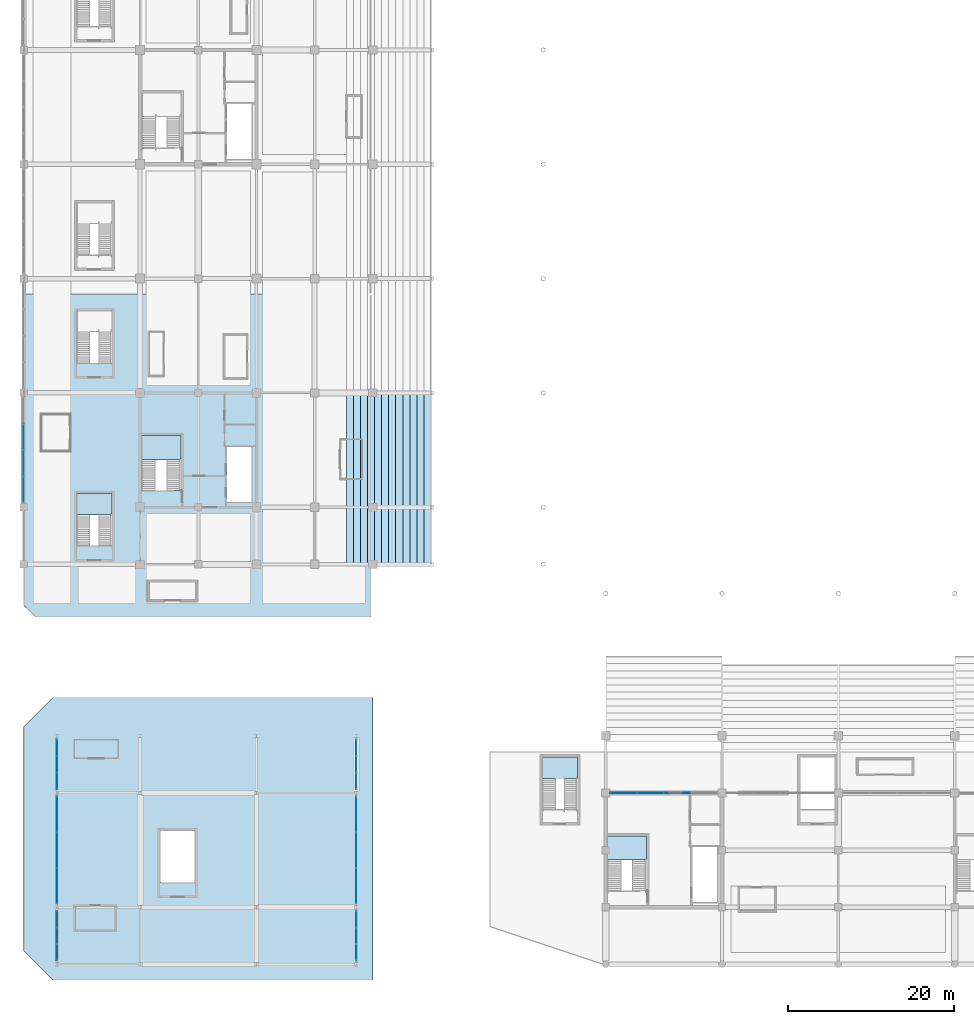
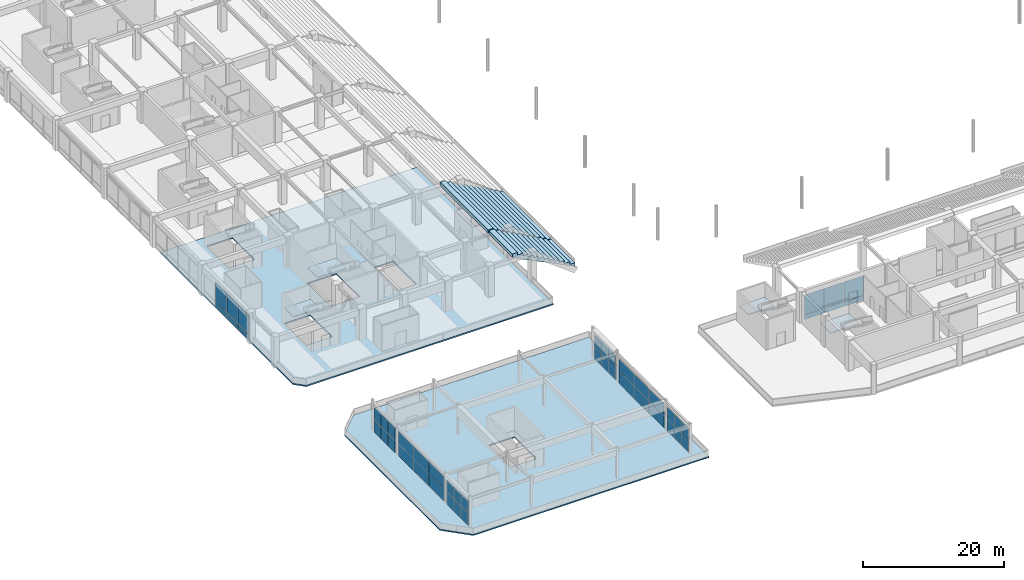
# One storey, part 71 of 117: 48 plates, 8 slabs, 12 elements without a shape of their own.
"""IFC4 building model written with IfcOpenShell, lengths in metres."""

from ifc_helpers import new_model, si_unit, direction, frame, origin, origin_2d, place, context, subcontext, project, spatial, polyline, rectangle, outline, extrude, material, layer, layer_set, type_object, element, aggregate, save


model = new_model("IFC4")

# Units and contexts
model_context = context("Model", 3, precision=1e-05, world=origin(), true_north=direction((0.0, 1.0)))
body_context = subcontext(model_context, "Body", "Model", "MODEL_VIEW")
ifc_project = project(units=[si_unit("LENGTHUNIT", "METRE"), si_unit("AREAUNIT", "SQUARE_METRE"), si_unit("VOLUMEUNIT", "CUBIC_METRE"), si_unit("PLANEANGLEUNIT", "RADIAN"), si_unit("MASSUNIT", "GRAM", prefix="KILO")], contexts=[model_context])

# Site, building, storey
site_placement = place(None, origin())
site = spatial("IfcSite", under=ifc_project, at=site_placement, CompositionType="ELEMENT")
building_placement = place(site_placement, origin())
building = spatial("IfcBuilding", under=site, at=building_placement, Name="Linyun Crest Stadium", CompositionType="ELEMENT")
storey_placement = place(building_placement, frame((0.0, 0.0, 6.0)))
storey = spatial("IfcBuildingStorey", under=building, at=storey_placement, Name="L02", CompositionType="ELEMENT", Elevation=6.0)

# Slabs
ifc_material_1 = material(Name="Concrete C40", Category="concrete")
ifc_layer_1 = layer(ifc_material_1, 0.199951171875)
ifc_layer_set_1 = layer_set([ifc_layer_1], Name="Concrete C40")
slab_type_1 = type_object("IfcSlabType", Name="FS02", PredefinedType="FLOOR", material=ifc_layer_set_1)
slab_1_placement = place(storey_placement, frame((0.0, 0.0, -0.199951171875)))
element("IfcSlab", 1, at=slab_1_placement, inside=storey, type_object=slab_type_1, Name="Slab FS02 V6 L02 64", PredefinedType="FLOOR", context=body_context, shape_type="SweptSolid", body=[
    extrude(outline(polyline([(-94.5, -96.0), (-56.0, -96.0), (-56.0, -62.0), (-94.5, -62.0), (-98.0, -65.5), (-98.0, -92.5), (-94.5, -96.0)]), holes=[polyline([(-81.60009765625, -84.25), (-81.60009765625, -78.0), (-77.39990234375, -78.0), (-77.39990234375, -84.25), (-81.60009765625, -84.25)])]), origin(), (0.0, 0.0, 1.0), 0.199951171875),
])
ifc_material_2 = material(Name="Concrete C40", Category="concrete")
ifc_layer_2 = layer(ifc_material_2, 0.219970703125)
ifc_layer_set_2 = layer_set([ifc_layer_2], Name="Concrete C40")
slab_type_2 = type_object("IfcSlabType", Name="FS03", PredefinedType="FLOOR", material=ifc_layer_set_2)
slab_2_placement = place(storey_placement, frame((0.0, 0.0, -0.219970703125)))
element("IfcSlab", 2, at=slab_2_placement, inside=storey, type_object=slab_type_2, Name="Slab FS03 V1 L02 4", PredefinedType="FLOOR", context=body_context, shape_type="SweptSolid", body=[
    extrude(outline(polyline([(-96.60009765625, -52.3349609375), (-56.199951171875, -52.3349609375), (-56.199951171875, -13.510009765625), (-98.0, -13.510009765625), (-98.0, -50.93505859375), (-96.60009765625, -52.3349609375)]), holes=[polyline([(-83.824951171875, -37.10498046875), (-83.824951171875, -30.52490234375), (-79.10009765625, -30.52490234375), (-79.10009765625, -37.10498046875), (-83.824951171875, -37.10498046875)]), polyline([(-73.60009765625, -38.47509765625), (-73.60009765625, -31.875), (-70.60009765625, -31.875), (-70.60009765625, -38.47509765625), (-73.60009765625, -38.47509765625)]), polyline([(-91.60009765625, -43.75), (-91.60009765625, -37.5), (-87.39990234375, -37.5), (-87.39990234375, -43.75), (-91.60009765625, -43.75)]), polyline([(-91.60009765625, -21.75), (-91.60009765625, -15.5), (-87.39990234375, -15.5), (-87.39990234375, -21.75), (-91.60009765625, -21.75)])]), origin(), (0.0, 0.0, 1.0), 0.219970703125),
])

# Curtain wall, plates
ifc_material_3 = material(Name="Verdigris steel and low-E curtain wall assembly", Category="steel")
curtain_wall_type_1 = type_object("IfcCurtainWallType", Name="MCW01", PredefinedType="NOTDEFINED", material=ifc_material_3)
curtain_wall_1_placement = place(storey_placement, origin())
curtain_wall_1 = element("IfcCurtainWall", 3, at=curtain_wall_1_placement, inside=storey, type_object=curtain_wall_type_1, Name="CWR-073", PredefinedType="NOTDEFINED")
ifc_material_4 = material(Name="Double silver low-E insulated glass", Category="glass")
ifc_layer_3 = layer(ifc_material_4, 0.02587890625)
ifc_layer_set_3 = layer_set([ifc_layer_3], Name="Double silver low-E insulated glass")
plate_type_1 = type_object("IfcPlateType", Name="GP01", PredefinedType="CURTAIN_PANEL", material=ifc_layer_set_3)
plate_1_placement = place(storey_placement, frame((-98.0, -36.993896484375, 0.9248046875), z_axis=(0.0, 0.0, 1.0), x_axis=(0.0, 1.0, 0.0)))
plate_1 = element("IfcPlate", 4, at=plate_1_placement, type_object=plate_type_1, Name="CWR-073 panel 1.2", PredefinedType="CURTAIN_PANEL", context=body_context, shape_type="SweptSolid", body=[
    extrude(rectangle(XDim=3.112548828125, YDim=0.02587890625, at=origin_2d()), origin(), (0.0, 0.0, 1.0), 3.300048828125),
])
plate_2_placement = place(storey_placement, frame((-98.0, -33.8310546875, 0.9248046875), z_axis=(0.0, 0.0, 1.0), x_axis=(0.0, 1.0, 0.0)))
plate_2 = element("IfcPlate", 5, at=plate_2_placement, type_object=plate_type_1, Name="CWR-073 panel 2.2", PredefinedType="CURTAIN_PANEL", context=body_context, shape_type="SweptSolid", body=[
    extrude(rectangle(XDim=3.112548828125, YDim=0.02587890625, at=origin_2d()), origin(), (0.0, 0.0, 1.0), 3.300048828125),
])
plate_3_placement = place(storey_placement, frame((-98.0, -30.6689453125, 0.9248046875), z_axis=(0.0, 0.0, 1.0), x_axis=(0.0, 1.0, 0.0)))
plate_3 = element("IfcPlate", 6, at=plate_3_placement, type_object=plate_type_1, Name="CWR-073 panel 3.2", PredefinedType="CURTAIN_PANEL", context=body_context, shape_type="SweptSolid", body=[
    extrude(rectangle(XDim=3.112548828125, YDim=0.02587890625, at=origin_2d()), origin(), (0.0, 0.0, 1.0), 3.300048828125),
])

ifc_material_5 = material(Name="Verdigris steel and low-E curtain wall assembly", Category="steel")
curtain_wall_type_2 = type_object("IfcCurtainWallType", Name="MCW03", PredefinedType="NOTDEFINED", material=ifc_material_5)
curtain_wall_2_placement = place(storey_placement, origin())
curtain_wall_2 = element("IfcCurtainWall", 7, at=curtain_wall_2_placement, inside=storey, type_object=curtain_wall_type_2, Name="CWR-131", PredefinedType="NOTDEFINED")
plate_4_placement = place(storey_placement, frame((-25.837890625, -73.5, 0.875), z_axis=(0.0, 0.0, 1.0), x_axis=(1.0, 0.0, 0.0)))
plate_4 = element("IfcPlate", 8, at=plate_4_placement, type_object=plate_type_1, Name="CWR-131 panel 1.2", PredefinedType="CURTAIN_PANEL", context=body_context, shape_type="SweptSolid", body=[
    extrude(rectangle(XDim=3.175048828125, YDim=0.02587890625, at=origin_2d()), origin(), (0.0, 0.0, 1.0), 3.35009765625),
])
plate_5_placement = place(storey_placement, frame((-22.612060546875, -73.5, 0.875), z_axis=(0.0, 0.0, 1.0), x_axis=(1.0, 0.0, 0.0)))
plate_5 = element("IfcPlate", 9, at=plate_5_placement, type_object=plate_type_1, Name="CWR-131 panel 2.2", PredefinedType="CURTAIN_PANEL", context=body_context, shape_type="SweptSolid", body=[
    extrude(rectangle(XDim=3.175048828125, YDim=0.02587890625, at=origin_2d()), origin(), (0.0, 0.0, 1.0), 3.35009765625),
])
plate_6_placement = place(storey_placement, frame((-19.387939453125, -73.5, 0.875), z_axis=(0.0, 0.0, 1.0), x_axis=(1.0, 0.0, 0.0)))
plate_6 = element("IfcPlate", 10, at=plate_6_placement, type_object=plate_type_1, Name="CWR-131 panel 3.2", PredefinedType="CURTAIN_PANEL", context=body_context, shape_type="SweptSolid", body=[
    extrude(rectangle(XDim=3.175048828125, YDim=0.02587890625, at=origin_2d()), origin(), (0.0, 0.0, 1.0), 3.35009765625),
])

ifc_material_6 = material(Name="Verdigris steel and low-E curtain wall assembly", Category="steel")
curtain_wall_type_3 = type_object("IfcCurtainWallType", Name="MCW05", PredefinedType="NOTDEFINED", material=ifc_material_6)
curtain_wall_3_placement = place(storey_placement, origin())
curtain_wall_3 = element("IfcCurtainWall", 11, at=curtain_wall_3_placement, inside=storey, type_object=curtain_wall_type_3, Name="CWR-155", PredefinedType="NOTDEFINED")
ifc_material_7 = material(Name="Tempered solar-control low-E glass", Category="glass")
ifc_layer_4 = layer(ifc_material_7, 0.033935546875)
ifc_layer_set_4 = layer_set([ifc_layer_4], Name="Tempered solar-control low-E glass")
plate_type_2 = type_object("IfcPlateType", Name="GP03", PredefinedType="CURTAIN_PANEL", material=ifc_layer_set_4)
plate_7_placement = place(storey_placement, frame((-94.0, -92.678955078125, 0.0244140625), z_axis=(0.0, 0.0, 1.0), x_axis=(0.0, 1.0, 0.0)))
plate_7 = element("IfcPlate", 12, at=plate_7_placement, type_object=plate_type_2, Name="CWR-155 panel 1.1", PredefinedType="CURTAIN_PANEL", context=body_context, shape_type="SweptSolid", body=[
    extrude(rectangle(XDim=1.941650390625, YDim=0.033935546875, at=origin_2d()), origin(), (0.0, 0.0, 1.0), 2.074951171875),
])
plate_8_placement = place(storey_placement, frame((-94.0, -92.678955078125, 2.150390625), z_axis=(0.0, 0.0, 1.0), x_axis=(0.0, 1.0, 0.0)))
plate_8 = element("IfcPlate", 13, at=plate_8_placement, type_object=plate_type_2, Name="CWR-155 panel 1.2", PredefinedType="CURTAIN_PANEL", context=body_context, shape_type="SweptSolid", body=[
    extrude(rectangle(XDim=1.941650390625, YDim=0.033935546875, at=origin_2d()), origin(), (0.0, 0.0, 1.0), 2.074951171875),
])
plate_9_placement = place(storey_placement, frame((-94.0, -90.68798828125, 0.0244140625), z_axis=(0.0, 0.0, 1.0), x_axis=(0.0, 1.0, 0.0)))
plate_9 = element("IfcPlate", 14, at=plate_9_placement, type_object=plate_type_2, Name="CWR-155 panel 2.1", PredefinedType="CURTAIN_PANEL", context=body_context, shape_type="SweptSolid", body=[
    extrude(rectangle(XDim=1.941650390625, YDim=0.033935546875, at=origin_2d()), origin(), (0.0, 0.0, 1.0), 2.074951171875),
])
plate_10_placement = place(storey_placement, frame((-94.0, -90.68798828125, 2.150390625), z_axis=(0.0, 0.0, 1.0), x_axis=(0.0, 1.0, 0.0)))
plate_10 = element("IfcPlate", 15, at=plate_10_placement, type_object=plate_type_2, Name="CWR-155 panel 2.2", PredefinedType="CURTAIN_PANEL", context=body_context, shape_type="SweptSolid", body=[
    extrude(rectangle(XDim=1.941650390625, YDim=0.033935546875, at=origin_2d()), origin(), (0.0, 0.0, 1.0), 2.074951171875),
])
plate_11_placement = place(storey_placement, frame((-94.0, -88.696044921875, 0.0244140625), z_axis=(0.0, 0.0, 1.0), x_axis=(0.0, 1.0, 0.0)))
plate_11 = element("IfcPlate", 16, at=plate_11_placement, type_object=plate_type_2, Name="CWR-155 panel 3.1", PredefinedType="CURTAIN_PANEL", context=body_context, shape_type="SweptSolid", body=[
    extrude(rectangle(XDim=1.941650390625, YDim=0.033935546875, at=origin_2d()), origin(), (0.0, 0.0, 1.0), 2.074951171875),
])
plate_12_placement = place(storey_placement, frame((-94.0, -88.696044921875, 2.150390625), z_axis=(0.0, 0.0, 1.0), x_axis=(0.0, 1.0, 0.0)))
plate_12 = element("IfcPlate", 17, at=plate_12_placement, type_object=plate_type_2, Name="CWR-155 panel 3.2", PredefinedType="CURTAIN_PANEL", context=body_context, shape_type="SweptSolid", body=[
    extrude(rectangle(XDim=1.941650390625, YDim=0.033935546875, at=origin_2d()), origin(), (0.0, 0.0, 1.0), 2.074951171875),
])
aggregate(curtain_wall_3, [plate_7, plate_8, plate_9, plate_10, plate_11, plate_12])

curtain_wall_4_placement = place(storey_placement, origin())
curtain_wall_4 = element("IfcCurtainWall", 18, at=curtain_wall_4_placement, inside=storey, type_object=curtain_wall_type_3, Name="CWR-156", PredefinedType="NOTDEFINED")
plate_13_placement = place(storey_placement, frame((-94.0, -84.657958984375, 0.0244140625), z_axis=(0.0, 0.0, 1.0), x_axis=(0.0, 1.0, 0.0)))
plate_13 = element("IfcPlate", 19, at=plate_13_placement, type_object=plate_type_2, Name="CWR-156 panel 1.1", PredefinedType="CURTAIN_PANEL", context=body_context, shape_type="SweptSolid", body=[
    extrude(rectangle(XDim=4.2333984375, YDim=0.033935546875, at=origin_2d()), origin(), (0.0, 0.0, 1.0), 2.074951171875),
])
plate_14_placement = place(storey_placement, frame((-94.0, -84.657958984375, 2.150390625), z_axis=(0.0, 0.0, 1.0), x_axis=(0.0, 1.0, 0.0)))
plate_14 = element("IfcPlate", 20, at=plate_14_placement, type_object=plate_type_2, Name="CWR-156 panel 1.2", PredefinedType="CURTAIN_PANEL", context=body_context, shape_type="SweptSolid", body=[
    extrude(rectangle(XDim=4.2333984375, YDim=0.033935546875, at=origin_2d()), origin(), (0.0, 0.0, 1.0), 2.074951171875),
])
plate_15_placement = place(storey_placement, frame((-94.0, -80.375, 0.0244140625), z_axis=(0.0, 0.0, 1.0), x_axis=(0.0, 1.0, 0.0)))
plate_15 = element("IfcPlate", 21, at=plate_15_placement, type_object=plate_type_2, Name="CWR-156 panel 2.1", PredefinedType="CURTAIN_PANEL", context=body_context, shape_type="SweptSolid", body=[
    extrude(rectangle(XDim=4.2333984375, YDim=0.033935546875, at=origin_2d()), origin(), (0.0, 0.0, 1.0), 2.074951171875),
])
plate_16_placement = place(storey_placement, frame((-94.0, -80.375, 2.150390625), z_axis=(0.0, 0.0, 1.0), x_axis=(0.0, 1.0, 0.0)))
plate_16 = element("IfcPlate", 22, at=plate_16_placement, type_object=plate_type_2, Name="CWR-156 panel 2.2", PredefinedType="CURTAIN_PANEL", context=body_context, shape_type="SweptSolid", body=[
    extrude(rectangle(XDim=4.2333984375, YDim=0.033935546875, at=origin_2d()), origin(), (0.0, 0.0, 1.0), 2.074951171875),
])
plate_17_placement = place(storey_placement, frame((-94.0, -76.092041015625, 0.0244140625), z_axis=(0.0, 0.0, 1.0), x_axis=(0.0, 1.0, 0.0)))
plate_17 = element("IfcPlate", 23, at=plate_17_placement, type_object=plate_type_2, Name="CWR-156 panel 3.1", PredefinedType="CURTAIN_PANEL", context=body_context, shape_type="SweptSolid", body=[
    extrude(rectangle(XDim=4.2333984375, YDim=0.033935546875, at=origin_2d()), origin(), (0.0, 0.0, 1.0), 2.074951171875),
])
plate_18_placement = place(storey_placement, frame((-94.0, -76.092041015625, 2.150390625), z_axis=(0.0, 0.0, 1.0), x_axis=(0.0, 1.0, 0.0)))
plate_18 = element("IfcPlate", 24, at=plate_18_placement, type_object=plate_type_2, Name="CWR-156 panel 3.2", PredefinedType="CURTAIN_PANEL", context=body_context, shape_type="SweptSolid", body=[
    extrude(rectangle(XDim=4.2333984375, YDim=0.033935546875, at=origin_2d()), origin(), (0.0, 0.0, 1.0), 2.074951171875),
])
aggregate(curtain_wall_4, [plate_13, plate_14, plate_15, plate_16, plate_17, plate_18])

curtain_wall_5_placement = place(storey_placement, origin())
curtain_wall_5 = element("IfcCurtainWall", 25, at=curtain_wall_5_placement, inside=storey, type_object=curtain_wall_type_3, Name="CWR-157", PredefinedType="NOTDEFINED")
plate_19_placement = place(storey_placement, frame((-94.0, -72.053955078125, 0.0244140625), z_axis=(0.0, 0.0, 1.0), x_axis=(0.0, 1.0, 0.0)))
plate_19 = element("IfcPlate", 26, at=plate_19_placement, type_object=plate_type_2, Name="CWR-157 panel 1.1", PredefinedType="CURTAIN_PANEL", context=body_context, shape_type="SweptSolid", body=[
    extrude(rectangle(XDim=1.941650390625, YDim=0.033935546875, at=origin_2d()), origin(), (0.0, 0.0, 1.0), 2.074951171875),
])
plate_20_placement = place(storey_placement, frame((-94.0, -72.053955078125, 2.150390625), z_axis=(0.0, 0.0, 1.0), x_axis=(0.0, 1.0, 0.0)))
plate_20 = element("IfcPlate", 27, at=plate_20_placement, type_object=plate_type_2, Name="CWR-157 panel 1.2", PredefinedType="CURTAIN_PANEL", context=body_context, shape_type="SweptSolid", body=[
    extrude(rectangle(XDim=1.941650390625, YDim=0.033935546875, at=origin_2d()), origin(), (0.0, 0.0, 1.0), 2.074951171875),
])
plate_21_placement = place(storey_placement, frame((-94.0, -70.06201171875, 0.0244140625), z_axis=(0.0, 0.0, 1.0), x_axis=(0.0, 1.0, 0.0)))
plate_21 = element("IfcPlate", 28, at=plate_21_placement, type_object=plate_type_2, Name="CWR-157 panel 2.1", PredefinedType="CURTAIN_PANEL", context=body_context, shape_type="SweptSolid", body=[
    extrude(rectangle(XDim=1.941650390625, YDim=0.033935546875, at=origin_2d()), origin(), (0.0, 0.0, 1.0), 2.074951171875),
])
plate_22_placement = place(storey_placement, frame((-94.0, -70.06201171875, 2.150390625), z_axis=(0.0, 0.0, 1.0), x_axis=(0.0, 1.0, 0.0)))
plate_22 = element("IfcPlate", 29, at=plate_22_placement, type_object=plate_type_2, Name="CWR-157 panel 2.2", PredefinedType="CURTAIN_PANEL", context=body_context, shape_type="SweptSolid", body=[
    extrude(rectangle(XDim=1.941650390625, YDim=0.033935546875, at=origin_2d()), origin(), (0.0, 0.0, 1.0), 2.074951171875),
])
plate_23_placement = place(storey_placement, frame((-94.0, -68.071044921875, 0.0244140625), z_axis=(0.0, 0.0, 1.0), x_axis=(0.0, 1.0, 0.0)))
plate_23 = element("IfcPlate", 30, at=plate_23_placement, type_object=plate_type_2, Name="CWR-157 panel 3.1", PredefinedType="CURTAIN_PANEL", context=body_context, shape_type="SweptSolid", body=[
    extrude(rectangle(XDim=1.941650390625, YDim=0.033935546875, at=origin_2d()), origin(), (0.0, 0.0, 1.0), 2.074951171875),
])
plate_24_placement = place(storey_placement, frame((-94.0, -68.071044921875, 2.150390625), z_axis=(0.0, 0.0, 1.0), x_axis=(0.0, 1.0, 0.0)))
plate_24 = element("IfcPlate", 31, at=plate_24_placement, type_object=plate_type_2, Name="CWR-157 panel 3.2", PredefinedType="CURTAIN_PANEL", context=body_context, shape_type="SweptSolid", body=[
    extrude(rectangle(XDim=1.941650390625, YDim=0.033935546875, at=origin_2d()), origin(), (0.0, 0.0, 1.0), 2.074951171875),
])
aggregate(curtain_wall_5, [plate_19, plate_20, plate_21, plate_22, plate_23, plate_24])

curtain_wall_6_placement = place(storey_placement, origin())
curtain_wall_6 = element("IfcCurtainWall", 32, at=curtain_wall_6_placement, inside=storey, type_object=curtain_wall_type_3, Name="CWR-158", PredefinedType="NOTDEFINED")
plate_25_placement = place(storey_placement, frame((-58.0, -92.678955078125, 0.0244140625), z_axis=(0.0, 0.0, 1.0), x_axis=(0.0, 1.0, 0.0)))
plate_25 = element("IfcPlate", 33, at=plate_25_placement, type_object=plate_type_2, Name="CWR-158 panel 1.1", PredefinedType="CURTAIN_PANEL", context=body_context, shape_type="SweptSolid", body=[
    extrude(rectangle(XDim=1.941650390625, YDim=0.033935546875, at=origin_2d()), origin(), (0.0, 0.0, 1.0), 2.074951171875),
])
plate_26_placement = place(storey_placement, frame((-58.0, -92.678955078125, 2.150390625), z_axis=(0.0, 0.0, 1.0), x_axis=(0.0, 1.0, 0.0)))
plate_26 = element("IfcPlate", 34, at=plate_26_placement, type_object=plate_type_2, Name="CWR-158 panel 1.2", PredefinedType="CURTAIN_PANEL", context=body_context, shape_type="SweptSolid", body=[
    extrude(rectangle(XDim=1.941650390625, YDim=0.033935546875, at=origin_2d()), origin(), (0.0, 0.0, 1.0), 2.074951171875),
])
plate_27_placement = place(storey_placement, frame((-58.0, -90.68798828125, 0.0244140625), z_axis=(0.0, 0.0, 1.0), x_axis=(0.0, 1.0, 0.0)))
plate_27 = element("IfcPlate", 35, at=plate_27_placement, type_object=plate_type_2, Name="CWR-158 panel 2.1", PredefinedType="CURTAIN_PANEL", context=body_context, shape_type="SweptSolid", body=[
    extrude(rectangle(XDim=1.941650390625, YDim=0.033935546875, at=origin_2d()), origin(), (0.0, 0.0, 1.0), 2.074951171875),
])
plate_28_placement = place(storey_placement, frame((-58.0, -90.68798828125, 2.150390625), z_axis=(0.0, 0.0, 1.0), x_axis=(0.0, 1.0, 0.0)))
plate_28 = element("IfcPlate", 36, at=plate_28_placement, type_object=plate_type_2, Name="CWR-158 panel 2.2", PredefinedType="CURTAIN_PANEL", context=body_context, shape_type="SweptSolid", body=[
    extrude(rectangle(XDim=1.941650390625, YDim=0.033935546875, at=origin_2d()), origin(), (0.0, 0.0, 1.0), 2.074951171875),
])
plate_29_placement = place(storey_placement, frame((-58.0, -88.696044921875, 0.0244140625), z_axis=(0.0, 0.0, 1.0), x_axis=(0.0, 1.0, 0.0)))
plate_29 = element("IfcPlate", 37, at=plate_29_placement, type_object=plate_type_2, Name="CWR-158 panel 3.1", PredefinedType="CURTAIN_PANEL", context=body_context, shape_type="SweptSolid", body=[
    extrude(rectangle(XDim=1.941650390625, YDim=0.033935546875, at=origin_2d()), origin(), (0.0, 0.0, 1.0), 2.074951171875),
])
plate_30_placement = place(storey_placement, frame((-58.0, -88.696044921875, 2.150390625), z_axis=(0.0, 0.0, 1.0), x_axis=(0.0, 1.0, 0.0)))
plate_30 = element("IfcPlate", 38, at=plate_30_placement, type_object=plate_type_2, Name="CWR-158 panel 3.2", PredefinedType="CURTAIN_PANEL", context=body_context, shape_type="SweptSolid", body=[
    extrude(rectangle(XDim=1.941650390625, YDim=0.033935546875, at=origin_2d()), origin(), (0.0, 0.0, 1.0), 2.074951171875),
])
aggregate(curtain_wall_6, [plate_25, plate_26, plate_27, plate_28, plate_29, plate_30])

curtain_wall_7_placement = place(storey_placement, origin())
curtain_wall_7 = element("IfcCurtainWall", 39, at=curtain_wall_7_placement, inside=storey, type_object=curtain_wall_type_3, Name="CWR-159", PredefinedType="NOTDEFINED")
plate_31_placement = place(storey_placement, frame((-58.0, -84.657958984375, 0.0244140625), z_axis=(0.0, 0.0, 1.0), x_axis=(0.0, 1.0, 0.0)))
plate_31 = element("IfcPlate", 40, at=plate_31_placement, type_object=plate_type_2, Name="CWR-159 panel 1.1", PredefinedType="CURTAIN_PANEL", context=body_context, shape_type="SweptSolid", body=[
    extrude(rectangle(XDim=4.2333984375, YDim=0.033935546875, at=origin_2d()), origin(), (0.0, 0.0, 1.0), 2.074951171875),
])
plate_32_placement = place(storey_placement, frame((-58.0, -84.657958984375, 2.150390625), z_axis=(0.0, 0.0, 1.0), x_axis=(0.0, 1.0, 0.0)))
plate_32 = element("IfcPlate", 41, at=plate_32_placement, type_object=plate_type_2, Name="CWR-159 panel 1.2", PredefinedType="CURTAIN_PANEL", context=body_context, shape_type="SweptSolid", body=[
    extrude(rectangle(XDim=4.2333984375, YDim=0.033935546875, at=origin_2d()), origin(), (0.0, 0.0, 1.0), 2.074951171875),
])
plate_33_placement = place(storey_placement, frame((-58.0, -80.375, 0.0244140625), z_axis=(0.0, 0.0, 1.0), x_axis=(0.0, 1.0, 0.0)))
plate_33 = element("IfcPlate", 42, at=plate_33_placement, type_object=plate_type_2, Name="CWR-159 panel 2.1", PredefinedType="CURTAIN_PANEL", context=body_context, shape_type="SweptSolid", body=[
    extrude(rectangle(XDim=4.2333984375, YDim=0.033935546875, at=origin_2d()), origin(), (0.0, 0.0, 1.0), 2.074951171875),
])
plate_34_placement = place(storey_placement, frame((-58.0, -80.375, 2.150390625), z_axis=(0.0, 0.0, 1.0), x_axis=(0.0, 1.0, 0.0)))
plate_34 = element("IfcPlate", 43, at=plate_34_placement, type_object=plate_type_2, Name="CWR-159 panel 2.2", PredefinedType="CURTAIN_PANEL", context=body_context, shape_type="SweptSolid", body=[
    extrude(rectangle(XDim=4.2333984375, YDim=0.033935546875, at=origin_2d()), origin(), (0.0, 0.0, 1.0), 2.074951171875),
])
plate_35_placement = place(storey_placement, frame((-58.0, -76.092041015625, 0.0244140625), z_axis=(0.0, 0.0, 1.0), x_axis=(0.0, 1.0, 0.0)))
plate_35 = element("IfcPlate", 44, at=plate_35_placement, type_object=plate_type_2, Name="CWR-159 panel 3.1", PredefinedType="CURTAIN_PANEL", context=body_context, shape_type="SweptSolid", body=[
    extrude(rectangle(XDim=4.2333984375, YDim=0.033935546875, at=origin_2d()), origin(), (0.0, 0.0, 1.0), 2.074951171875),
])
plate_36_placement = place(storey_placement, frame((-58.0, -76.092041015625, 2.150390625), z_axis=(0.0, 0.0, 1.0), x_axis=(0.0, 1.0, 0.0)))
plate_36 = element("IfcPlate", 45, at=plate_36_placement, type_object=plate_type_2, Name="CWR-159 panel 3.2", PredefinedType="CURTAIN_PANEL", context=body_context, shape_type="SweptSolid", body=[
    extrude(rectangle(XDim=4.2333984375, YDim=0.033935546875, at=origin_2d()), origin(), (0.0, 0.0, 1.0), 2.074951171875),
])
aggregate(curtain_wall_7, [plate_31, plate_32, plate_33, plate_34, plate_35, plate_36])

curtain_wall_8_placement = place(storey_placement, origin())
curtain_wall_8 = element("IfcCurtainWall", 46, at=curtain_wall_8_placement, inside=storey, type_object=curtain_wall_type_3, Name="CWR-160", PredefinedType="NOTDEFINED")
plate_37_placement = place(storey_placement, frame((-58.0, -72.053955078125, 0.0244140625), z_axis=(0.0, 0.0, 1.0), x_axis=(0.0, 1.0, 0.0)))
plate_37 = element("IfcPlate", 47, at=plate_37_placement, type_object=plate_type_2, Name="CWR-160 panel 1.1", PredefinedType="CURTAIN_PANEL", context=body_context, shape_type="SweptSolid", body=[
    extrude(rectangle(XDim=1.941650390625, YDim=0.033935546875, at=origin_2d()), origin(), (0.0, 0.0, 1.0), 2.074951171875),
])
plate_38_placement = place(storey_placement, frame((-58.0, -72.053955078125, 2.150390625), z_axis=(0.0, 0.0, 1.0), x_axis=(0.0, 1.0, 0.0)))
plate_38 = element("IfcPlate", 48, at=plate_38_placement, type_object=plate_type_2, Name="CWR-160 panel 1.2", PredefinedType="CURTAIN_PANEL", context=body_context, shape_type="SweptSolid", body=[
    extrude(rectangle(XDim=1.941650390625, YDim=0.033935546875, at=origin_2d()), origin(), (0.0, 0.0, 1.0), 2.074951171875),
])
plate_39_placement = place(storey_placement, frame((-58.0, -70.06201171875, 0.0244140625), z_axis=(0.0, 0.0, 1.0), x_axis=(0.0, 1.0, 0.0)))
plate_39 = element("IfcPlate", 49, at=plate_39_placement, type_object=plate_type_2, Name="CWR-160 panel 2.1", PredefinedType="CURTAIN_PANEL", context=body_context, shape_type="SweptSolid", body=[
    extrude(rectangle(XDim=1.941650390625, YDim=0.033935546875, at=origin_2d()), origin(), (0.0, 0.0, 1.0), 2.074951171875),
])
plate_40_placement = place(storey_placement, frame((-58.0, -70.06201171875, 2.150390625), z_axis=(0.0, 0.0, 1.0), x_axis=(0.0, 1.0, 0.0)))
plate_40 = element("IfcPlate", 50, at=plate_40_placement, type_object=plate_type_2, Name="CWR-160 panel 2.2", PredefinedType="CURTAIN_PANEL", context=body_context, shape_type="SweptSolid", body=[
    extrude(rectangle(XDim=1.941650390625, YDim=0.033935546875, at=origin_2d()), origin(), (0.0, 0.0, 1.0), 2.074951171875),
])
plate_41_placement = place(storey_placement, frame((-58.0, -68.071044921875, 0.0244140625), z_axis=(0.0, 0.0, 1.0), x_axis=(0.0, 1.0, 0.0)))
plate_41 = element("IfcPlate", 51, at=plate_41_placement, type_object=plate_type_2, Name="CWR-160 panel 3.1", PredefinedType="CURTAIN_PANEL", context=body_context, shape_type="SweptSolid", body=[
    extrude(rectangle(XDim=1.941650390625, YDim=0.033935546875, at=origin_2d()), origin(), (0.0, 0.0, 1.0), 2.074951171875),
])
plate_42_placement = place(storey_placement, frame((-58.0, -68.071044921875, 2.150390625), z_axis=(0.0, 0.0, 1.0), x_axis=(0.0, 1.0, 0.0)))
plate_42 = element("IfcPlate", 52, at=plate_42_placement, type_object=plate_type_2, Name="CWR-160 panel 3.2", PredefinedType="CURTAIN_PANEL", context=body_context, shape_type="SweptSolid", body=[
    extrude(rectangle(XDim=1.941650390625, YDim=0.033935546875, at=origin_2d()), origin(), (0.0, 0.0, 1.0), 2.074951171875),
])
aggregate(curtain_wall_8, [plate_37, plate_38, plate_39, plate_40, plate_41, plate_42])

# Stair, slab
ifc_material_8 = material(Name="Concrete C40", Category="concrete")
stair_type = type_object("IfcStairType", Name="STA02", PredefinedType="HALF_TURN_STAIR", material=ifc_material_8)
stair_1_placement = place(storey_placement, origin())
stair_1 = element("IfcStair", 53, at=stair_1_placement, inside=storey, type_object=stair_type, Name="Evacuation stair STR-01-L02", PredefinedType="HALF_TURN_STAIR")
ifc_material_9 = material(Name="Concrete C40", Category="concrete")
ifc_layer_5 = layer(ifc_material_9, 0.179931640625)
ifc_layer_set_5 = layer_set([ifc_layer_5], Name="Concrete C40")
slab_type_3 = type_object("IfcSlabType", Name="LS01", PredefinedType="LANDING", material=ifc_layer_set_5)
slab_3_placement = place(storey_placement, frame((0.0, 0.0, 2.52001953125)))
slab_3 = element("IfcSlab", 54, at=slab_3_placement, type_object=slab_type_3, Name="STR-01-L02 half-landing", PredefinedType="LANDING", context=body_context, shape_type="SweptSolid", body=[
    extrude(outline(polyline([(-83.824951171875, -33.385009765625), (-79.10009765625, -33.385009765625), (-79.10009765625, -30.52490234375), (-83.824951171875, -30.52490234375), (-83.824951171875, -33.385009765625)])), origin(), (0.0, 0.0, 1.0), 0.179931640625),
])
aggregate(stair_1, [slab_3])

stair_2_placement = place(storey_placement, origin())
stair_2 = element("IfcStair", 55, at=stair_2_placement, inside=storey, type_object=stair_type, Name="Evacuation stair STR-09-L02", PredefinedType="HALF_TURN_STAIR")
slab_4_placement = place(storey_placement, frame((0.0, 0.0, 2.52001953125)))
slab_4 = element("IfcSlab", 56, at=slab_4_placement, type_object=slab_type_3, Name="STR-09-L02 half-landing", PredefinedType="LANDING", context=body_context, shape_type="SweptSolid", body=[
    extrude(outline(polyline([(-27.77490234375, -81.510009765625), (-23.10009765625, -81.510009765625), (-23.10009765625, -78.64990234375), (-27.77490234375, -78.64990234375), (-27.77490234375, -81.510009765625)])), origin(), (0.0, 0.0, 1.0), 0.179931640625),
])
aggregate(stair_2, [slab_4])

stair_3_placement = place(storey_placement, origin())
stair_3 = element("IfcStair", 57, at=stair_3_placement, inside=storey, type_object=stair_type, Name="Vomitory evacuation stair STR-13-L02", PredefinedType="HALF_TURN_STAIR")
slab_5_placement = place(storey_placement, frame((0.0, 0.0, 2.52001953125)))
slab_5 = element("IfcSlab", 58, at=slab_5_placement, type_object=slab_type_3, Name="STR-13-L02 half-landing", PredefinedType="LANDING", context=body_context, shape_type="SweptSolid", body=[
    extrude(outline(polyline([(-91.60009765625, -40.030029296875), (-87.39990234375, -40.030029296875), (-87.39990234375, -37.5), (-91.60009765625, -37.5), (-91.60009765625, -40.030029296875)])), origin(), (0.0, 0.0, 1.0), 0.179931640625),
])
aggregate(stair_3, [slab_5])

stair_4_placement = place(storey_placement, origin())
stair_4 = element("IfcStair", 59, at=stair_4_placement, inside=storey, type_object=stair_type, Name="Vomitory evacuation stair STR-27-L02", PredefinedType="HALF_TURN_STAIR")
slab_6_placement = place(storey_placement, frame((0.0, 0.0, 2.52001953125)))
slab_6 = element("IfcSlab", 60, at=slab_6_placement, type_object=slab_type_3, Name="STR-27-L02 half-landing", PredefinedType="LANDING", context=body_context, shape_type="SweptSolid", body=[
    extrude(outline(polyline([(-35.60009765625, -71.72998046875), (-31.39990234375, -71.72998046875), (-31.39990234375, -69.199951171875), (-35.60009765625, -69.199951171875), (-35.60009765625, -71.72998046875)])), origin(), (0.0, 0.0, 1.0), 0.179931640625),
])
aggregate(stair_4, [slab_6])

# Plate
ifc_material_10 = material(Name="Celadon glazed ceramic faience insulated spandrel")
ifc_layer_6 = layer(ifc_material_10, 0.0419921875)
ifc_layer_set_6 = layer_set([ifc_layer_6], Name="Celadon glazed ceramic faience insulated spandrel")
plate_type_3 = type_object("IfcPlateType", Name="SP01", PredefinedType="SHEET", material=ifc_layer_set_6)
plate_43_placement = place(storey_placement, frame((-98.0, -36.993896484375, 0.02490234375), z_axis=(0.0, 0.0, 1.0), x_axis=(0.0, 1.0, 0.0)))
plate_43 = element("IfcPlate", 61, at=plate_43_placement, type_object=plate_type_3, Name="CWR-073 panel 1.1", PredefinedType="SHEET", context=body_context, shape_type="SweptSolid", body=[
    extrude(rectangle(XDim=3.112548828125, YDim=0.0419921875, at=origin_2d()), origin(), (0.0, 0.0, 1.0), 0.85009765625),
])

plate_44_placement = place(storey_placement, frame((-98.0, -33.8310546875, 0.02490234375), z_axis=(0.0, 0.0, 1.0), x_axis=(0.0, 1.0, 0.0)))
plate_44 = element("IfcPlate", 62, at=plate_44_placement, type_object=plate_type_3, Name="CWR-073 panel 2.1", PredefinedType="SHEET", context=body_context, shape_type="SweptSolid", body=[
    extrude(rectangle(XDim=3.112548828125, YDim=0.0419921875, at=origin_2d()), origin(), (0.0, 0.0, 1.0), 0.85009765625),
])

plate_45_placement = place(storey_placement, frame((-98.0, -30.6689453125, 0.02490234375), z_axis=(0.0, 0.0, 1.0), x_axis=(0.0, 1.0, 0.0)))
plate_45 = element("IfcPlate", 63, at=plate_45_placement, type_object=plate_type_3, Name="CWR-073 panel 3.1", PredefinedType="SHEET", context=body_context, shape_type="SweptSolid", body=[
    extrude(rectangle(XDim=3.112548828125, YDim=0.0419921875, at=origin_2d()), origin(), (0.0, 0.0, 1.0), 0.85009765625),
])

aggregate(curtain_wall_1, [plate_43, plate_1, plate_44, plate_2, plate_45, plate_3])

plate_46_placement = place(storey_placement, frame((-25.837890625, -73.5, 0.02490234375), z_axis=(0.0, 0.0, 1.0), x_axis=(1.0, 0.0, 0.0)))
plate_46 = element("IfcPlate", 64, at=plate_46_placement, type_object=plate_type_3, Name="CWR-131 panel 1.1", PredefinedType="SHEET", context=body_context, shape_type="SweptSolid", body=[
    extrude(rectangle(XDim=3.175048828125, YDim=0.0419921875, at=origin_2d()), origin(), (0.0, 0.0, 1.0), 0.800048828125),
])

plate_47_placement = place(storey_placement, frame((-22.612060546875, -73.5, 0.02490234375), z_axis=(0.0, 0.0, 1.0), x_axis=(1.0, 0.0, 0.0)))
plate_47 = element("IfcPlate", 65, at=plate_47_placement, type_object=plate_type_3, Name="CWR-131 panel 2.1", PredefinedType="SHEET", context=body_context, shape_type="SweptSolid", body=[
    extrude(rectangle(XDim=3.175048828125, YDim=0.0419921875, at=origin_2d()), origin(), (0.0, 0.0, 1.0), 0.800048828125),
])

plate_48_placement = place(storey_placement, frame((-19.387939453125, -73.5, 0.02490234375), z_axis=(0.0, 0.0, 1.0), x_axis=(1.0, 0.0, 0.0)))
plate_48 = element("IfcPlate", 66, at=plate_48_placement, type_object=plate_type_3, Name="CWR-131 panel 3.1", PredefinedType="SHEET", context=body_context, shape_type="SweptSolid", body=[
    extrude(rectangle(XDim=3.175048828125, YDim=0.0419921875, at=origin_2d()), origin(), (0.0, 0.0, 1.0), 0.800048828125),
])

aggregate(curtain_wall_2, [plate_46, plate_4, plate_47, plate_5, plate_48, plate_6])

# Slabs
ifc_material_11 = material(Name="Precast concrete C50", Category="concrete")
ifc_layer_7 = layer(ifc_material_11, 0.179931640625)
ifc_layer_set_7 = layer_set([ifc_layer_7], Name="Precast concrete C50")
slab_type_4 = type_object("IfcSlabType", Name="ST02", PredefinedType="USERDEFINED", material=ifc_layer_set_7)
slab_7_placement = place(storey_placement, frame((-49.0, -45.919921875, 0.199951171875), z_axis=(0.0, 0.0, 1.0), x_axis=(-1.0, 0.0, 0.0)))
element("IfcSlab", 67, at=slab_7_placement, inside=storey, type_object=slab_type_4, Name="Precast seating tier ST02 V1 2", ObjectType="SEATING TIER", PredefinedType="USERDEFINED", context=body_context, shape_type="SweptSolid", body=[
    extrude(outline(polyline([(0.0, 0.0), (0.0, 0.4599609375), (0.85009765625, 0.4599609375), (0.85009765625, 0.919921875), (1.699951171875, 0.919921875), (1.699951171875, 1.3798828125), (2.550048828125, 1.3798828125), (2.550048828125, 1.840087890625), (3.39990234375, 1.840087890625), (3.39990234375, 2.300048828125), (4.25, 2.300048828125), (4.25, 2.760009765625), (5.10009765625, 2.760009765625), (5.10009765625, 3.219970703125), (5.949951171875, 3.219970703125), (5.949951171875, 3.679931640625), (6.800048828125, 3.679931640625), (6.800048828125, 4.139892578125), (7.64990234375, 4.139892578125), (7.64990234375, 4.60009765625), (8.5, 4.60009765625), (8.5, 5.06005859375), (9.35009765625, 5.06005859375), (9.35009765625, 5.52001953125), (10.199951171875, 5.52001953125), (10.199951171875, 4.8798828125), (0.0, -0.179931640625), (0.0, 0.0)])), frame((0.0, 0.0, 0.0), z_axis=(0.0, -1.0, 0.0), x_axis=(1.0, 0.0, 0.0)), (0.0, 0.0, 1.0), 6.71484375),
])
slab_8_placement = place(storey_placement, frame((-49.0, -39.044921875, 0.199951171875), z_axis=(0.0, 0.0, 1.0), x_axis=(-1.0, 0.0, 0.0)))
element("IfcSlab", 68, at=slab_8_placement, inside=storey, type_object=slab_type_4, Name="Precast seating tier ST02 V1 10", ObjectType="SEATING TIER", PredefinedType="USERDEFINED", context=body_context, shape_type="SweptSolid", body=[
    extrude(outline(polyline([(0.0, 0.0), (0.0, 0.4599609375), (0.85009765625, 0.4599609375), (0.85009765625, 0.919921875), (1.699951171875, 0.919921875), (1.699951171875, 1.3798828125), (2.550048828125, 1.3798828125), (2.550048828125, 1.840087890625), (3.39990234375, 1.840087890625), (3.39990234375, 2.300048828125), (4.25, 2.300048828125), (4.25, 2.760009765625), (5.10009765625, 2.760009765625), (5.10009765625, 3.219970703125), (5.949951171875, 3.219970703125), (5.949951171875, 3.679931640625), (6.800048828125, 3.679931640625), (6.800048828125, 4.139892578125), (7.64990234375, 4.139892578125), (7.64990234375, 4.60009765625), (8.5, 4.60009765625), (8.5, 5.06005859375), (9.35009765625, 5.06005859375), (9.35009765625, 5.52001953125), (10.199951171875, 5.52001953125), (10.199951171875, 4.8798828125), (0.0, -0.179931640625), (0.0, 0.0)])), frame((0.0, 0.0, 0.0), z_axis=(0.0, -1.0, 0.0), x_axis=(1.0, 0.0, 0.0)), (0.0, 0.0, 1.0), 13.58984375),
])

save(model, "model.ifc")
